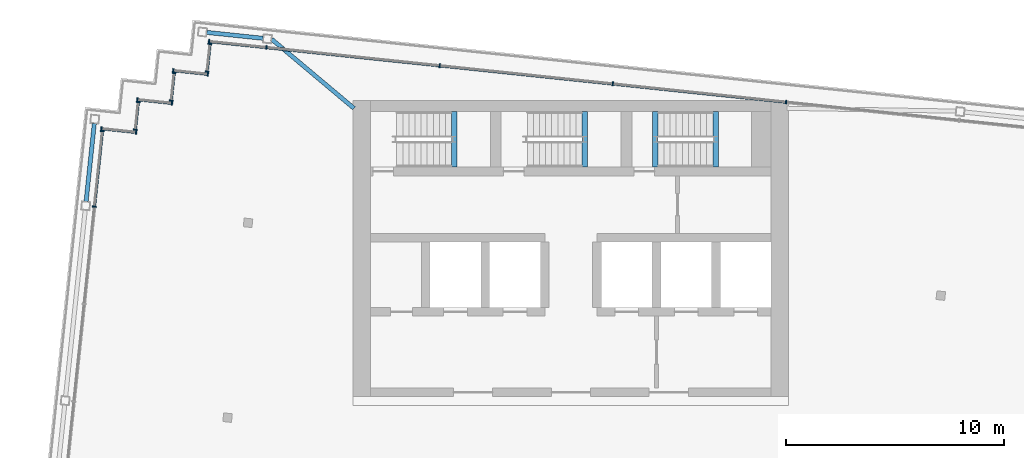
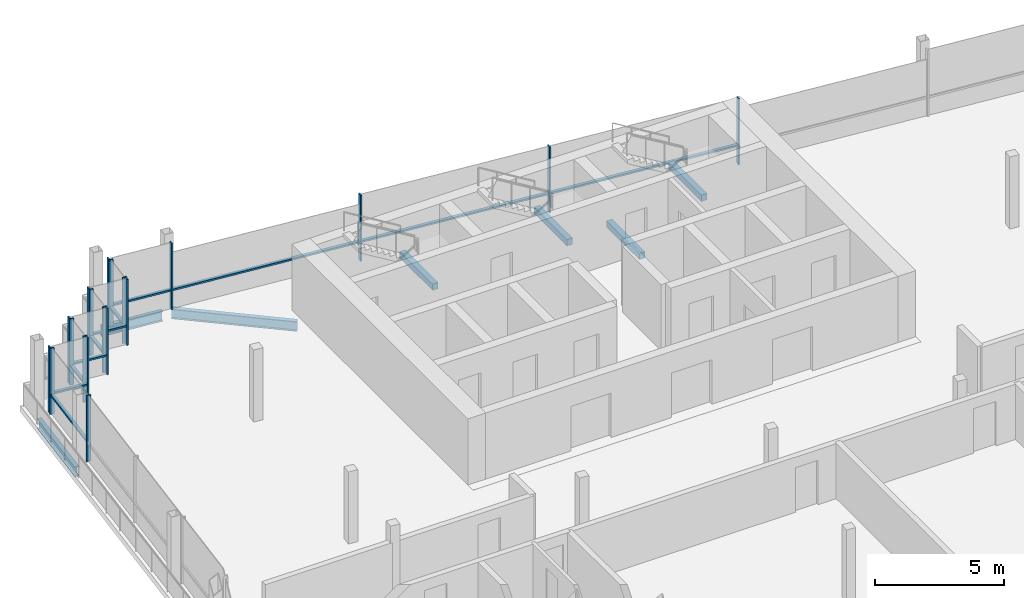
# One storey, part 7 of 15: 30 members, 7 beams, 8 elements without a shape of their own.
"""IFC4 building model written with IfcOpenShell, lengths in metres."""

from ifc_helpers import new_model, si_unit, direction, frame, origin, origin_2d, place, context, subcontext, project, spatial, rectangle, i_section, extrude, material, material_profile, profile_set, type_object, element, aggregate, save


model = new_model("IFC4")

# Units and contexts
model_context = context("Model", 3, precision=1e-05, world=origin(), true_north=direction((0.0, 1.0)))
body_context = subcontext(model_context, "Body", "Model", "MODEL_VIEW")
ifc_project = project(units=[si_unit("LENGTHUNIT", "METRE"), si_unit("AREAUNIT", "SQUARE_METRE"), si_unit("VOLUMEUNIT", "CUBIC_METRE"), si_unit("PLANEANGLEUNIT", "RADIAN"), si_unit("MASSUNIT", "GRAM", prefix="KILO")], contexts=[model_context])

# Site, building, storey
site_placement = place(None, origin())
site = spatial("IfcSite", under=ifc_project, at=site_placement, CompositionType="ELEMENT")
building_placement = place(site_placement, origin())
building = spatial("IfcBuilding", under=site, at=building_placement, Name="Vidyagriha Tower", CompositionType="ELEMENT")
storey_placement = place(building_placement, frame((0.0, 0.0, 291.5)))
storey = spatial("IfcBuildingStorey", under=building, at=storey_placement, Name="L75", CompositionType="ELEMENT", Elevation=291.5)

# Beams
ifc_material_1 = material(Name="Steel ASTM A992 Grade 50", Category="steel")
ifc_material_profile_1 = material_profile(ifc_material_1, i_section(OverallWidth=0.19189453125, OverallDepth=0.46240234375, WebThickness=0.010498046875, FlangeThickness=0.017578125, at=origin_2d()), Name="W18X60")
ifc_profile_set_1 = profile_set([ifc_material_profile_1], Name="Steel ASTM A992 Grade 50")
beam_type_1 = type_object("IfcBeamType", Name="Edge beam W18X60", PredefinedType="SPANDREL", material=ifc_profile_set_1)
beam_1_placement = place(storey_placement, frame((-22.269287109375, 15.372802734375, -0.51123046875), z_axis=(0.104578872801, 0.994516595821, 0.0), x_axis=(-0.994516595821, 0.104578872801, 0.0)))
element("IfcBeam", 1, at=beam_1_placement, inside=storey, type_object=beam_type_1, Name="st-beam-L75-W12", PredefinedType="SPANDREL", context=body_context, shape_type="SweptSolid", body=[
    extrude(i_section(OverallWidth=0.19189453125, OverallDepth=0.46240234375, WebThickness=0.010498046875, FlangeThickness=0.017578125, at=origin_2d()), origin(), (0.0, 0.0, 1.0), 3.599853515625),
])
beam_2_placement = place(storey_placement, frame((-16.727294921875, 23.135986328125, -0.51123046875), z_axis=(0.994523446942, -0.104513699976, 0.0), x_axis=(0.104513699976, 0.994523446942, 0.0)))
element("IfcBeam", 2, at=beam_2_placement, inside=storey, type_object=beam_type_1, Name="st-beam-L75-NW18", PredefinedType="SPANDREL", context=body_context, shape_type="SweptSolid", body=[
    extrude(i_section(OverallWidth=0.19189453125, OverallDepth=0.46240234375, WebThickness=0.010498046875, FlangeThickness=0.017578125, at=origin_2d()), origin(), (0.0, 0.0, 1.0), 2.599853515625),
])
beam_3_placement = place(storey_placement, frame((-13.743896484375, 22.822509765625, -0.51123046875), z_axis=(0.76590463898, -0.642954184984, 0.0), x_axis=(0.642954184984, 0.76590463898, 0.0)))
element("IfcBeam", 3, at=beam_3_placement, inside=storey, type_object=beam_type_1, Name="st-beam-L75-NC21", PredefinedType="SPANDREL", context=body_context, shape_type="SweptSolid", body=[
    extrude(i_section(OverallWidth=0.19189453125, OverallDepth=0.46240234375, WebThickness=0.010498046875, FlangeThickness=0.017578125, at=origin_2d()), origin(), (0.0, 0.0, 1.0), 4.934326171875),
])

# Curtain wall, members
ifc_material_2 = material(Name="Aluminium and glass curtain wall", Category="aluminium")
curtain_wall_type = type_object("IfcCurtainWallType", Name="Lantern glazing wall", PredefinedType="USERDEFINED", material=ifc_material_2)
curtain_wall_1_placement = place(storey_placement, origin())
curtain_wall_1 = element("IfcCurtainWall", 4, at=curtain_wall_1_placement, inside=storey, type_object=curtain_wall_type, Name="CW4 lantern glazing", ObjectType="STICK GLAZING", PredefinedType="USERDEFINED")
ifc_material_3 = material(Name="Aluminium black anodised", Category="aluminium")
ifc_material_profile_2 = material_profile(ifc_material_3, rectangle(XDim=0.179931640625, YDim=0.06005859375, at=origin_2d()), Name="Mullion 60x180 black aluminium")
ifc_profile_set_2 = profile_set([ifc_material_profile_2], Name="Aluminium black anodised")
member_type_1 = type_object("IfcMemberType", Name="Mullion 60x180 black aluminium", PredefinedType="MULLION", material=ifc_profile_set_2)
member_1_placement = place(storey_placement, frame((9.884033203125, 19.936767578125, 0.0), z_axis=(0.0, 0.0, 1.0), x_axis=(-0.104528022383, -0.994521941707, 0.0)))
member_1 = element("IfcMember", 5, at=member_1_placement, type_object=member_type_1, Name="CW4 mullion 4", PredefinedType="MULLION", context=body_context, shape_type="SweptSolid", body=[
    extrude(rectangle(XDim=0.179931640625, YDim=0.06005859375, at=origin_2d()), origin(), (0.0, 0.0, 1.0), 3.1201171875),
])
member_2_placement = place(storey_placement, frame((1.927978515625, 20.77294921875, 0.0), z_axis=(0.0, 0.0, 1.0), x_axis=(-0.104528022383, -0.994521941707, 0.0)))
member_2 = element("IfcMember", 6, at=member_2_placement, type_object=member_type_1, Name="CW4 mullion 5", PredefinedType="MULLION", context=body_context, shape_type="SweptSolid", body=[
    extrude(rectangle(XDim=0.179931640625, YDim=0.06005859375, at=origin_2d()), origin(), (0.0, 0.0, 1.0), 3.1201171875),
])
member_3_placement = place(storey_placement, frame((-6.0283203125, 21.609130859375, 0.0), z_axis=(0.0, 0.0, 1.0), x_axis=(-0.104528022383, -0.994521941707, 0.0)))
member_3 = element("IfcMember", 7, at=member_3_placement, type_object=member_type_1, Name="CW4 mullion 6", PredefinedType="MULLION", context=body_context, shape_type="SweptSolid", body=[
    extrude(rectangle(XDim=0.179931640625, YDim=0.06005859375, at=origin_2d()), origin(), (0.0, 0.0, 1.0), 3.1201171875),
])
member_4_placement = place(storey_placement, frame((-13.984619140625, 22.445556640625, 0.0), z_axis=(0.0, 0.0, 1.0), x_axis=(-0.104528022383, -0.994521941707, 0.0)))
member_4 = element("IfcMember", 8, at=member_4_placement, type_object=member_type_1, Name="CW4 mullion 7", PredefinedType="MULLION", context=body_context, shape_type="SweptSolid", body=[
    extrude(rectangle(XDim=0.179931640625, YDim=0.06005859375, at=origin_2d()), origin(), (0.0, 0.0, 1.0), 3.1201171875),
])
member_5_placement = place(storey_placement, frame((-16.6201171875, 22.722412109375, 0.0), z_axis=(0.0, 0.0, 1.0), x_axis=(-0.104528022383, -0.994521941707, 0.0)))
member_5 = element("IfcMember", 9, at=member_5_placement, type_object=member_type_1, Name="CW4 mullion 8", PredefinedType="MULLION", context=body_context, shape_type="SweptSolid", body=[
    extrude(rectangle(XDim=0.179931640625, YDim=0.06005859375, at=origin_2d()), origin(), (0.0, 0.0, 1.0), 3.1201171875),
])

curtain_wall_2_placement = place(storey_placement, origin())
curtain_wall_2 = element("IfcCurtainWall", 10, at=curtain_wall_2_placement, inside=storey, type_object=curtain_wall_type, Name="CW4 lantern glazing", ObjectType="STICK GLAZING", PredefinedType="USERDEFINED")
member_6_placement = place(storey_placement, frame((-16.581787109375, 22.60791015625, 0.0), z_axis=(0.0, 0.0, 1.0), x_axis=(0.994519755162, -0.104548823962, 0.0)))
member_6 = element("IfcMember", 11, at=member_6_placement, type_object=member_type_1, Name="CW4 mullion 1", PredefinedType="MULLION", context=body_context, shape_type="SweptSolid", body=[
    extrude(rectangle(XDim=0.179931640625, YDim=0.06005859375, at=origin_2d()), origin(), (0.0, 0.0, 1.0), 3.1201171875),
])
member_7_placement = place(storey_placement, frame((-16.715576171875, 21.334716796875, 0.0), z_axis=(0.0, 0.0, 1.0), x_axis=(0.994519755162, -0.104548823962, 0.0)))
member_7 = element("IfcMember", 12, at=member_7_placement, type_object=member_type_1, Name="CW4 mullion 2", PredefinedType="MULLION", context=body_context, shape_type="SweptSolid", body=[
    extrude(rectangle(XDim=0.179931640625, YDim=0.06005859375, at=origin_2d()), origin(), (0.0, 0.0, 1.0), 3.1201171875),
])

curtain_wall_3_placement = place(storey_placement, origin())
curtain_wall_3 = element("IfcCurtainWall", 13, at=curtain_wall_3_placement, inside=storey, type_object=curtain_wall_type, Name="CW4 lantern glazing", ObjectType="STICK GLAZING", PredefinedType="USERDEFINED")
member_8_placement = place(storey_placement, frame((-16.67724609375, 21.22021484375, 0.0), z_axis=(0.0, 0.0, 1.0), x_axis=(-0.104518583201, -0.994522933756, 0.0)))
member_8 = element("IfcMember", 14, at=member_8_placement, type_object=member_type_1, Name="CW4 mullion 1", PredefinedType="MULLION", context=body_context, shape_type="SweptSolid", body=[
    extrude(rectangle(XDim=0.179931640625, YDim=0.06005859375, at=origin_2d()), origin(), (0.0, 0.0, 1.0), 3.1201171875),
])
member_9_placement = place(storey_placement, frame((-18.2685546875, 21.387451171875, 0.0), z_axis=(0.0, 0.0, 1.0), x_axis=(-0.104518583201, -0.994522933756, 0.0)))
member_9 = element("IfcMember", 15, at=member_9_placement, type_object=member_type_1, Name="CW4 mullion 2", PredefinedType="MULLION", context=body_context, shape_type="SweptSolid", body=[
    extrude(rectangle(XDim=0.179931640625, YDim=0.06005859375, at=origin_2d()), origin(), (0.0, 0.0, 1.0), 3.1201171875),
])

curtain_wall_4_placement = place(storey_placement, origin())
curtain_wall_4 = element("IfcCurtainWall", 16, at=curtain_wall_4_placement, inside=storey, type_object=curtain_wall_type, Name="CW4 lantern glazing", ObjectType="STICK GLAZING", PredefinedType="USERDEFINED")
member_10_placement = place(storey_placement, frame((-18.230224609375, 21.27294921875, 0.0), z_axis=(0.0, 0.0, 1.0), x_axis=(0.994519755162, -0.104548823962, 0.0)))
member_10 = element("IfcMember", 17, at=member_10_placement, type_object=member_type_1, Name="CW4 mullion 1", PredefinedType="MULLION", context=body_context, shape_type="SweptSolid", body=[
    extrude(rectangle(XDim=0.179931640625, YDim=0.06005859375, at=origin_2d()), origin(), (0.0, 0.0, 1.0), 3.1201171875),
])
member_11_placement = place(storey_placement, frame((-18.3642578125, 19.999755859375, 0.0), z_axis=(0.0, 0.0, 1.0), x_axis=(0.994519755162, -0.104548823962, 0.0)))
member_11 = element("IfcMember", 18, at=member_11_placement, type_object=member_type_1, Name="CW4 mullion 2", PredefinedType="MULLION", context=body_context, shape_type="SweptSolid", body=[
    extrude(rectangle(XDim=0.179931640625, YDim=0.06005859375, at=origin_2d()), origin(), (0.0, 0.0, 1.0), 3.1201171875),
])

curtain_wall_5_placement = place(storey_placement, origin())
curtain_wall_5 = element("IfcCurtainWall", 19, at=curtain_wall_5_placement, inside=storey, type_object=curtain_wall_type, Name="CW4 lantern glazing", ObjectType="STICK GLAZING", PredefinedType="USERDEFINED")
member_12_placement = place(storey_placement, frame((-18.325927734375, 19.88525390625, 0.0), z_axis=(0.0, 0.0, 1.0), x_axis=(-0.104512321721, -0.994523591781, 0.0)))
member_12 = element("IfcMember", 20, at=member_12_placement, type_object=member_type_1, Name="CW4 mullion 1", PredefinedType="MULLION", context=body_context, shape_type="SweptSolid", body=[
    extrude(rectangle(XDim=0.179931640625, YDim=0.06005859375, at=origin_2d()), origin(), (0.0, 0.0, 1.0), 3.1201171875),
])
member_13_placement = place(storey_placement, frame((-19.917236328125, 20.052490234375, 0.0), z_axis=(0.0, 0.0, 1.0), x_axis=(-0.104512321721, -0.994523591781, 0.0)))
member_13 = element("IfcMember", 21, at=member_13_placement, type_object=member_type_1, Name="CW4 mullion 2", PredefinedType="MULLION", context=body_context, shape_type="SweptSolid", body=[
    extrude(rectangle(XDim=0.179931640625, YDim=0.06005859375, at=origin_2d()), origin(), (0.0, 0.0, 1.0), 3.1201171875),
])

curtain_wall_6_placement = place(storey_placement, origin())
curtain_wall_6 = element("IfcCurtainWall", 22, at=curtain_wall_6_placement, inside=storey, type_object=curtain_wall_type, Name="CW4 lantern glazing", ObjectType="STICK GLAZING", PredefinedType="USERDEFINED")
member_14_placement = place(storey_placement, frame((-19.87890625, 19.937744140625, 0.0), z_axis=(0.0, 0.0, 1.0), x_axis=(0.994518123441, -0.10456434453, 0.0)))
member_14 = element("IfcMember", 23, at=member_14_placement, type_object=member_type_1, Name="CW4 mullion 1", PredefinedType="MULLION", context=body_context, shape_type="SweptSolid", body=[
    extrude(rectangle(XDim=0.179931640625, YDim=0.06005859375, at=origin_2d()), origin(), (0.0, 0.0, 1.0), 3.1201171875),
])
member_15_placement = place(storey_placement, frame((-20.0126953125, 18.6650390625, 0.0), z_axis=(0.0, 0.0, 1.0), x_axis=(0.994518123441, -0.10456434453, 0.0)))
member_15 = element("IfcMember", 24, at=member_15_placement, type_object=member_type_1, Name="CW4 mullion 2", PredefinedType="MULLION", context=body_context, shape_type="SweptSolid", body=[
    extrude(rectangle(XDim=0.179931640625, YDim=0.06005859375, at=origin_2d()), origin(), (0.0, 0.0, 1.0), 3.1201171875),
])

curtain_wall_7_placement = place(storey_placement, origin())
curtain_wall_7 = element("IfcCurtainWall", 25, at=curtain_wall_7_placement, inside=storey, type_object=curtain_wall_type, Name="CW4 lantern glazing", ObjectType="STICK GLAZING", PredefinedType="USERDEFINED")
member_16_placement = place(storey_placement, frame((-19.974365234375, 18.550537109375, 0.0), z_axis=(0.0, 0.0, 1.0), x_axis=(-0.104452741485, -0.994529851134, 0.0)))
member_16 = element("IfcMember", 26, at=member_16_placement, type_object=member_type_1, Name="CW4 mullion 1", PredefinedType="MULLION", context=body_context, shape_type="SweptSolid", body=[
    extrude(rectangle(XDim=0.179931640625, YDim=0.06005859375, at=origin_2d()), origin(), (0.0, 0.0, 1.0), 3.1201171875),
])
member_17_placement = place(storey_placement, frame((-21.565673828125, 18.717529296875, 0.0), z_axis=(0.0, 0.0, 1.0), x_axis=(-0.104452741485, -0.994529851134, 0.0)))
member_17 = element("IfcMember", 27, at=member_17_placement, type_object=member_type_1, Name="CW4 mullion 2", PredefinedType="MULLION", context=body_context, shape_type="SweptSolid", body=[
    extrude(rectangle(XDim=0.179931640625, YDim=0.06005859375, at=origin_2d()), origin(), (0.0, 0.0, 1.0), 3.1201171875),
])

curtain_wall_8_placement = place(storey_placement, origin())
curtain_wall_8 = element("IfcCurtainWall", 28, at=curtain_wall_8_placement, inside=storey, type_object=curtain_wall_type, Name="CW4 lantern glazing", ObjectType="STICK GLAZING", PredefinedType="USERDEFINED")
member_18_placement = place(storey_placement, frame((-21.527587890625, 18.602783203125, 0.0), z_axis=(0.0, 0.0, 1.0), x_axis=(0.994522018715, -0.104527289697, 0.0)))
member_18 = element("IfcMember", 29, at=member_18_placement, type_object=member_type_1, Name="CW4 mullion 1", PredefinedType="MULLION", context=body_context, shape_type="SweptSolid", body=[
    extrude(rectangle(XDim=0.179931640625, YDim=0.06005859375, at=origin_2d()), origin(), (0.0, 0.0, 1.0), 3.1201171875),
])
member_19_placement = place(storey_placement, frame((-21.892333984375, 15.132080078125, 0.0), z_axis=(0.0, 0.0, 1.0), x_axis=(0.994522018715, -0.104527289697, 0.0)))
member_19 = element("IfcMember", 30, at=member_19_placement, type_object=member_type_1, Name="CW4 mullion 2", PredefinedType="MULLION", context=body_context, shape_type="SweptSolid", body=[
    extrude(rectangle(XDim=0.179931640625, YDim=0.06005859375, at=origin_2d()), origin(), (0.0, 0.0, 1.0), 3.1201171875),
])

# Beams
ifc_material_4 = material(Name="Concrete C40/50", Category="concrete")
ifc_material_profile_3 = material_profile(ifc_material_4, rectangle(XDim=0.25, YDim=0.300048828125, at=origin_2d()), Name="Stair landing bearing beam 250x300")
ifc_profile_set_3 = profile_set([ifc_material_profile_3], Name="Concrete C40/50")
beam_type_2 = type_object("IfcBeamType", Name="Stair landing bearing beam 250x300", PredefinedType="BEAM", material=ifc_profile_set_3)
for number, where, z_axis, x_axis, name in (
    (31, (3.875, 16.949951171875, -0.429931640625), (0.0, 1.0, 0.0), (-1.0, 0.0, 0.0), "ST3 floor landing bearing beam L75"),
    (32, (-5.35498046875, 16.949951171875, 1.35009765625), (0.0, 1.0, 0.0), (-1.0, 0.0, 0.0), "ST1 landing bearing beam L75"),
    (33, (0.64501953125, 16.949951171875, 1.35009765625), (0.0, 1.0, 0.0), (-1.0, 0.0, 0.0), "ST2 landing bearing beam L75"),
    (34, (6.64501953125, 16.949951171875, 1.35009765625), (0.0, 1.0, 0.0), (-1.0, 0.0, 0.0), "ST3 landing bearing beam L75"),
):
    element("IfcBeam", number, at=place(storey_placement, frame(where, z_axis=z_axis, x_axis=x_axis)), inside=storey, type_object=beam_type_2, Name=name, PredefinedType="BEAM", context=body_context, shape_type="SweptSolid", body=[
        extrude(rectangle(XDim=0.25, YDim=0.300048828125, at=origin_2d()), origin(), (0.0, 0.0, 1.0), 2.550048828125),
    ])

# Member
ifc_material_5 = material(Name="Aluminium black anodised", Category="aluminium")
ifc_material_profile_4 = material_profile(ifc_material_5, rectangle(XDim=0.139892578125, YDim=0.080078125, at=origin_2d()), Name="Transom 80x140 black aluminium")
ifc_profile_set_4 = profile_set([ifc_material_profile_4], Name="Aluminium black anodised")
member_type_2 = type_object("IfcMemberType", Name="Transom 80x140 black aluminium", PredefinedType="USERDEFINED", material=ifc_profile_set_4)
member_20_placement = place(storey_placement, frame((9.854248046875, 19.93994140625, 0.89990234375), z_axis=(-0.994523465953, 0.104513519069, 0.0), x_axis=(-0.104513519069, -0.994523465953, 0.0)))
member_20 = element("IfcMember", 35, at=member_20_placement, type_object=member_type_2, Name="CW4 transom 4.1", ObjectType="TRANSOM", PredefinedType="USERDEFINED", context=body_context, shape_type="SweptSolid", body=[
    extrude(rectangle(XDim=0.139892578125, YDim=0.080078125, at=origin_2d()), origin(), (0.0, 0.0, 1.0), 7.93994140625),
])

member_21_placement = place(storey_placement, frame((1.89794921875, 20.776123046875, 0.89990234375), z_axis=(-0.994520269484, 0.10454393137, 0.0), x_axis=(-0.10454393137, -0.994520269484, 0.0)))
member_21 = element("IfcMember", 36, at=member_21_placement, type_object=member_type_2, Name="CW4 transom 5.1", ObjectType="TRANSOM", PredefinedType="USERDEFINED", context=body_context, shape_type="SweptSolid", body=[
    extrude(rectangle(XDim=0.139892578125, YDim=0.080078125, at=origin_2d()), origin(), (0.0, 0.0, 1.0), 7.93994140625),
])

member_22_placement = place(storey_placement, frame((-6.05810546875, 21.6123046875, 0.89990234375), z_axis=(-0.994520269484, 0.10454393137, 0.0), x_axis=(-0.10454393137, -0.994520269484, 0.0)))
member_22 = element("IfcMember", 37, at=member_22_placement, type_object=member_type_2, Name="CW4 transom 6.1", ObjectType="TRANSOM", PredefinedType="USERDEFINED", context=body_context, shape_type="SweptSolid", body=[
    extrude(rectangle(XDim=0.139892578125, YDim=0.080078125, at=origin_2d()), origin(), (0.0, 0.0, 1.0), 7.93994140625),
])

member_23_placement = place(storey_placement, frame((-14.014404296875, 22.448486328125, 0.89990234375), z_axis=(-0.994521452323, 0.104532678478, 0.0), x_axis=(-0.104532678478, -0.994521452323, 0.0)))
member_23 = element("IfcMember", 38, at=member_23_placement, type_object=member_type_2, Name="CW4 transom 7.1", ObjectType="TRANSOM", PredefinedType="USERDEFINED", context=body_context, shape_type="SweptSolid", body=[
    extrude(rectangle(XDim=0.139892578125, YDim=0.080078125, at=origin_2d()), origin(), (0.0, 0.0, 1.0), 2.590087890625),
])

aggregate(curtain_wall_1, [member_1, member_2, member_3, member_4, member_5, member_20, member_21, member_22, member_23])

member_24_placement = place(storey_placement, frame((-16.5849609375, 22.578125, 0.89990234375), z_axis=(-0.104653535604, -0.994508741784, 0.0), x_axis=(0.994508741784, -0.104653535604, 0.0)))
member_24 = element("IfcMember", 39, at=member_24_placement, type_object=member_type_2, Name="CW4 transom 1.1", ObjectType="TRANSOM", PredefinedType="USERDEFINED", context=body_context, shape_type="SweptSolid", body=[
    extrude(rectangle(XDim=0.139892578125, YDim=0.080078125, at=origin_2d()), origin(), (0.0, 0.0, 1.0), 1.219970703125),
])

aggregate(curtain_wall_2, [member_6, member_7, member_24])

member_25_placement = place(storey_placement, frame((-16.707275390625, 21.223388671875, 0.89990234375), z_axis=(-0.994527149453, 0.104478461899, 0.0), x_axis=(-0.104478461899, -0.994527149453, 0.0)))
member_25 = element("IfcMember", 40, at=member_25_placement, type_object=member_type_2, Name="CW4 transom 1.1", ObjectType="TRANSOM", PredefinedType="USERDEFINED", context=body_context, shape_type="SweptSolid", body=[
    extrude(rectangle(XDim=0.139892578125, YDim=0.080078125, at=origin_2d()), origin(), (0.0, 0.0, 1.0), 1.5400390625),
])

aggregate(curtain_wall_3, [member_8, member_9, member_25])

member_26_placement = place(storey_placement, frame((-18.2333984375, 21.242919921875, 0.89990234375), z_axis=(-0.104674366152, -0.994506549536, 0.0), x_axis=(0.994506549536, -0.104674366152, 0.0)))
member_26 = element("IfcMember", 41, at=member_26_placement, type_object=member_type_2, Name="CW4 transom 1.1", ObjectType="TRANSOM", PredefinedType="USERDEFINED", context=body_context, shape_type="SweptSolid", body=[
    extrude(rectangle(XDim=0.139892578125, YDim=0.080078125, at=origin_2d()), origin(), (0.0, 0.0, 1.0), 1.2197265625),
])

aggregate(curtain_wall_4, [member_10, member_11, member_26])

member_27_placement = place(storey_placement, frame((-18.355712890625, 19.888427734375, 0.89990234375), z_axis=(-0.994527149453, 0.104478461899, 0.0), x_axis=(-0.104478461899, -0.994527149453, 0.0)))
member_27 = element("IfcMember", 42, at=member_27_placement, type_object=member_type_2, Name="CW4 transom 1.1", ObjectType="TRANSOM", PredefinedType="USERDEFINED", context=body_context, shape_type="SweptSolid", body=[
    extrude(rectangle(XDim=0.139892578125, YDim=0.080078125, at=origin_2d()), origin(), (0.0, 0.0, 1.0), 1.5400390625),
])

aggregate(curtain_wall_5, [member_12, member_13, member_27])

member_28_placement = place(storey_placement, frame((-19.882080078125, 19.907958984375, 0.89990234375), z_axis=(-0.104476410646, -0.994527364942, 0.0), x_axis=(0.994527364942, -0.104476410646, 0.0)))
member_28 = element("IfcMember", 43, at=member_28_placement, type_object=member_type_2, Name="CW4 transom 1.1", ObjectType="TRANSOM", PredefinedType="USERDEFINED", context=body_context, shape_type="SweptSolid", body=[
    extrude(rectangle(XDim=0.139892578125, YDim=0.080078125, at=origin_2d()), origin(), (0.0, 0.0, 1.0), 1.2197265625),
])

aggregate(curtain_wall_6, [member_14, member_15, member_28])

member_29_placement = place(storey_placement, frame((-20.004150390625, 18.553466796875, 0.89990234375), z_axis=(-0.994528879637, 0.104461991023, 0.0), x_axis=(-0.104461991023, -0.994528879637, 0.0)))
member_29 = element("IfcMember", 44, at=member_29_placement, type_object=member_type_2, Name="CW4 transom 1.1", ObjectType="TRANSOM", PredefinedType="USERDEFINED", context=body_context, shape_type="SweptSolid", body=[
    extrude(rectangle(XDim=0.139892578125, YDim=0.080078125, at=origin_2d()), origin(), (0.0, 0.0, 1.0), 1.540283203125),
])

aggregate(curtain_wall_7, [member_16, member_17, member_29])

member_30_placement = place(storey_placement, frame((-21.53076171875, 18.572998046875, 0.89990234375), z_axis=(-0.10449210926, -0.994525715657, 0.0), x_axis=(0.994525715657, -0.10449210926, 0.0)))
member_30 = element("IfcMember", 45, at=member_30_placement, type_object=member_type_2, Name="CW4 transom 1.1", ObjectType="TRANSOM", PredefinedType="USERDEFINED", context=body_context, shape_type="SweptSolid", body=[
    extrude(rectangle(XDim=0.139892578125, YDim=0.080078125, at=origin_2d()), origin(), (0.0, 0.0, 1.0), 3.429931640625),
])

aggregate(curtain_wall_8, [member_18, member_19, member_30])

save(model, "model.ifc")
